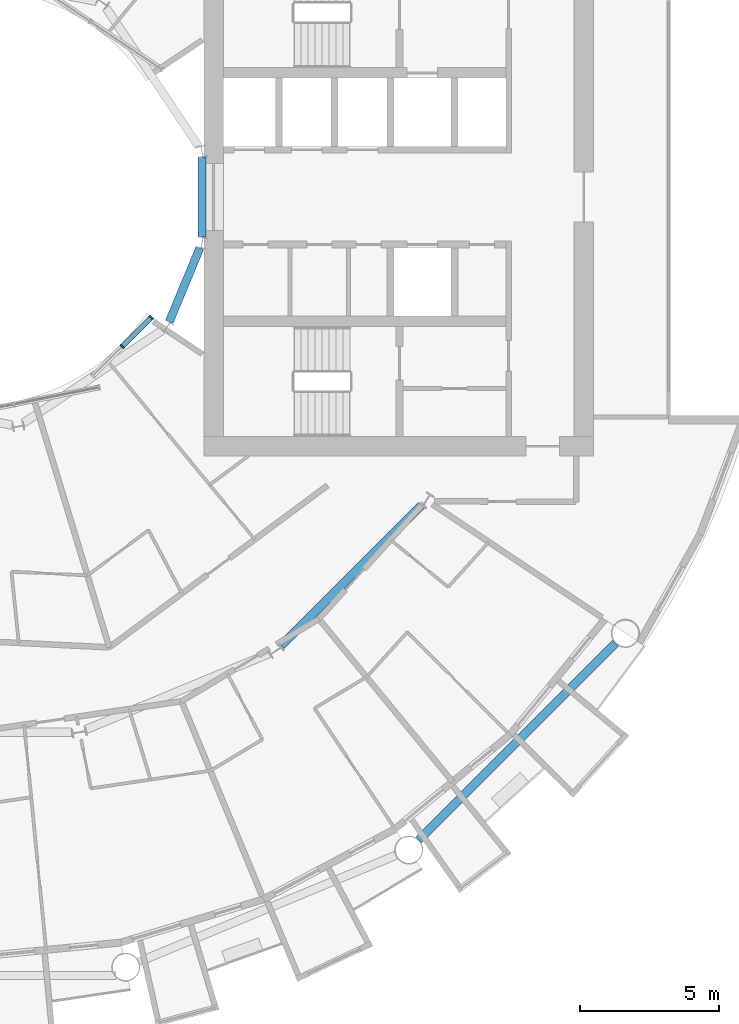
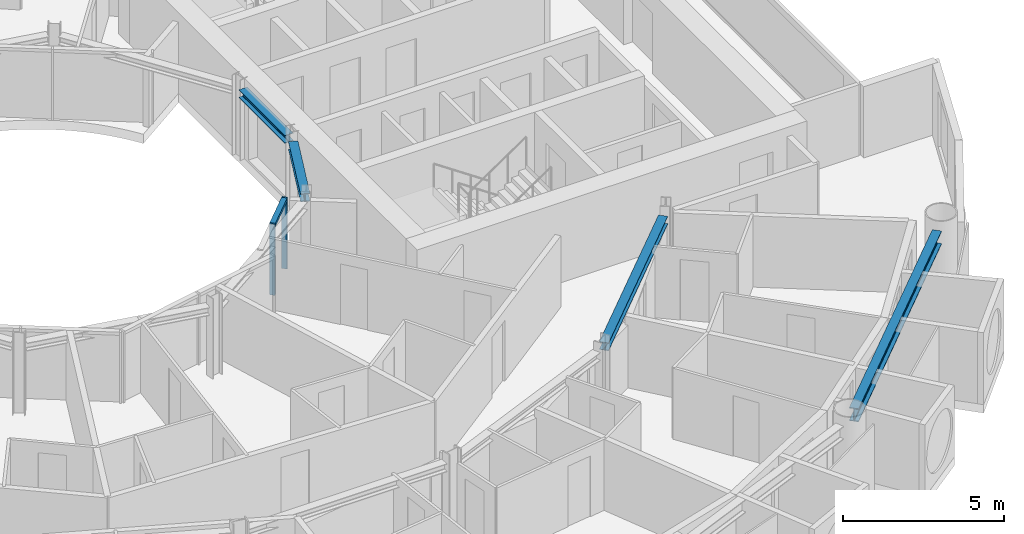
# One storey, part 6 of 26: 4 beams, 3 members, 1 element without a shape of its own.
"""IFC4 building model written with IfcOpenShell, lengths in metres."""

from ifc_helpers import new_model, si_unit, direction, frame, origin, origin_2d, place, context, subcontext, project, spatial, rectangle, i_section, extrude, material, layer, layer_set, material_profile, profile_set, type_object, element, aggregate, save


model = new_model("IFC4")

# Units and contexts
model_context = context("Model", 3, precision=1e-05, world=origin(), true_north=direction((0.0, 1.0)))
body_context = subcontext(model_context, "Body", "Model", "MODEL_VIEW")
ifc_project = project(units=[si_unit("LENGTHUNIT", "METRE"), si_unit("AREAUNIT", "SQUARE_METRE"), si_unit("VOLUMEUNIT", "CUBIC_METRE"), si_unit("PLANEANGLEUNIT", "RADIAN"), si_unit("MASSUNIT", "GRAM", prefix="KILO")], contexts=[model_context])

# Site, building, storey
site_placement = place(None, origin())
site = spatial("IfcSite", under=ifc_project, at=site_placement, CompositionType="ELEMENT")
building_placement = place(site_placement, origin())
building = spatial("IfcBuilding", under=site, at=building_placement, Name="Maasbend Ring Residences", CompositionType="ELEMENT")
storey_placement = place(building_placement, frame((0.0, 0.0, 78.85009765625)))
storey = spatial("IfcBuildingStorey", under=building, at=storey_placement, Name="L22", CompositionType="ELEMENT", Elevation=78.85009765625)

# Curtain wall, members
ifc_material_1 = material(Name="Aluminium and clear glass", Category="aluminium")
ifc_layer = layer(ifc_material_1, 0.179931640625)
ifc_layer_set = layer_set([ifc_layer], Name="CW-W")
curtain_wall_type = type_object("IfcCurtainWallType", Name="CW-W", PredefinedType="NOTDEFINED", material=ifc_layer_set)
curtain_wall_placement = place(storey_placement, origin())
curtain_wall = element("IfcCurtainWall", 1, at=curtain_wall_placement, inside=storey, type_object=curtain_wall_type, Name="Well curtain wall S3", PredefinedType="NOTDEFINED")
ifc_material_2 = material(Name="Aluminium 6063-T6", Category="aluminium")
ifc_material_profile_1 = material_profile(ifc_material_2, rectangle(XDim=0.179931640625, YDim=0.06005859375, at=origin_2d()), Name="AL 180x60")
ifc_profile_set_1 = profile_set([ifc_material_profile_1], Name="Aluminium 6063-T6")
member_type_1 = type_object("IfcMemberType", Name="CWM-W", PredefinedType="MULLION", material=ifc_profile_set_1)
member_1_placement = place(storey_placement, frame((5.366943359375, -5.366943359375, 0.0), z_axis=(0.0, 0.0, 1.0), x_axis=(-0.707106781187, 0.707106781187, 0.0)))
member_1 = element("IfcMember", 2, at=member_1_placement, type_object=member_type_1, Name="Mullion well face", PredefinedType="MULLION", context=body_context, shape_type="SweptSolid", body=[
    extrude(rectangle(XDim=0.179931640625, YDim=0.06005859375, at=origin_2d()), origin(), (0.0, 0.0, 1.0), 2.699951171875),
])
member_2_placement = place(storey_placement, frame((6.413330078125, -4.320556640625, 0.0), z_axis=(0.0, 0.0, 1.0), x_axis=(-0.707106781187, 0.707106781187, 0.0)))
member_2 = element("IfcMember", 3, at=member_2_placement, type_object=member_type_1, Name="Mullion well face", PredefinedType="MULLION", context=body_context, shape_type="SweptSolid", body=[
    extrude(rectangle(XDim=0.179931640625, YDim=0.06005859375, at=origin_2d()), origin(), (0.0, 0.0, 1.0), 2.699951171875),
])
ifc_material_3 = material(Name="Aluminium 6063-T6", Category="aluminium")
ifc_material_profile_2 = material_profile(ifc_material_3, rectangle(XDim=0.179931640625, YDim=0.1201171875, at=origin_2d()), Name="AL 180x120")
ifc_profile_set_2 = profile_set([ifc_material_profile_2], Name="Aluminium 6063-T6")
member_type_2 = type_object("IfcMemberType", Name="CWT-W", PredefinedType="USERDEFINED", material=ifc_profile_set_2)
member_3_placement = place(storey_placement, frame((5.38818359375, -5.345703125, 2.639892578125), z_axis=(0.707106781187, 0.707106781187, 0.0), x_axis=(-0.707106781187, 0.707106781187, 0.0)))
member_3 = element("IfcMember", 4, at=member_3_placement, type_object=member_type_2, Name="Transom well face", ObjectType="TRANSOM", PredefinedType="USERDEFINED", context=body_context, shape_type="SweptSolid", body=[
    extrude(rectangle(XDim=0.179931640625, YDim=0.1201171875, at=origin_2d()), origin(), (0.0, 0.0, 1.0), 1.419677734375),
])
aggregate(curtain_wall, [member_1, member_2, member_3])

# Beams
ifc_material_4 = material(Name="Steel S355J2", Category="steel")
ifc_material_profile_3 = material_profile(ifc_material_4, i_section(OverallWidth=0.300048828125, OverallDepth=0.300048828125, WebThickness=0.010986328125, FlangeThickness=0.01904296875, FilletRadius=0.027099609375, at=origin_2d()), Name="HEB 300")
ifc_profile_set_3 = profile_set([ifc_material_profile_3], Name="Steel S355J2")
beam_type_1 = type_object("IfcBeamType", Name="Corridor ring beam HEB 300", PredefinedType="BEAM", material=ifc_profile_set_3)
beam_1_placement = place(storey_placement, frame((11.078125, -16.10791015625, 2.5498046875), z_axis=(0.707106781187, 0.707106781187, 0.0), x_axis=(-0.707106781187, 0.707106781187, 0.0)))
element("IfcBeam", 5, at=beam_1_placement, inside=storey, type_object=beam_type_1, Name="Corridor ring beam", PredefinedType="BEAM", context=body_context, shape_type="SweptSolid", body=[
    extrude(i_section(OverallWidth=0.300048828125, OverallDepth=0.300048828125, WebThickness=0.010986328125, FlangeThickness=0.01904296875, FilletRadius=0.027099609375, at=origin_2d()), origin(), (0.0, 0.0, 1.0), 7.11328125),
])
ifc_material_5 = material(Name="Steel S355J2", Category="steel")
ifc_material_profile_4 = material_profile(ifc_material_5, i_section(OverallWidth=0.300048828125, OverallDepth=0.5, WebThickness=0.014404296875, FlangeThickness=0.028076171875, FilletRadius=0.027099609375, at=origin_2d()), Name="HEB 500")
ifc_profile_set_4 = profile_set([ifc_material_profile_4], Name="Steel S355J2")
beam_type_2 = type_object("IfcBeamType", Name="Spandrel ring beam HEB 500", PredefinedType="SPANDREL", material=ifc_profile_set_4)
beam_2_placement = place(storey_placement, frame((16.0263671875, -23.088134765625, 2.449951171875), z_axis=(0.707106781187, 0.707106781187, 0.0), x_axis=(-0.707106781187, 0.707106781187, 0.0)))
element("IfcBeam", 6, at=beam_2_placement, inside=storey, type_object=beam_type_2, Name="Spandrel ring beam", PredefinedType="SPANDREL", context=body_context, shape_type="SweptSolid", body=[
    extrude(i_section(OverallWidth=0.300048828125, OverallDepth=0.5, WebThickness=0.014404296875, FlangeThickness=0.028076171875, FilletRadius=0.027099609375, at=origin_2d()), origin(), (0.0, 0.0, 1.0), 9.98681640625),
])
ifc_material_6 = material(Name="Steel S355J2", Category="steel")
ifc_material_profile_5 = material_profile(ifc_material_6, i_section(OverallWidth=0.300048828125, OverallDepth=0.300048828125, WebThickness=0.010986328125, FlangeThickness=0.01904296875, FilletRadius=0.027099609375, at=origin_2d()), Name="HEB 300")
ifc_profile_set_5 = profile_set([ifc_material_profile_5], Name="Steel S355J2")
beam_type_3 = type_object("IfcBeamType", Name="Well edge beam HEB 300", PredefinedType="BEAM", material=ifc_profile_set_5)
beam_3_placement = place(storey_placement, frame((7.062255859375, -4.478515625, 2.5498046875), z_axis=(0.382729955172, 0.923860260761, 0.0), x_axis=(-0.923860260761, 0.382729955172, 0.0)))
element("IfcBeam", 7, at=beam_3_placement, inside=storey, type_object=beam_type_3, Name="Well edge beam", PredefinedType="BEAM", context=body_context, shape_type="SweptSolid", body=[
    extrude(i_section(OverallWidth=0.300048828125, OverallDepth=0.300048828125, WebThickness=0.010986328125, FlangeThickness=0.01904296875, FilletRadius=0.027099609375, at=origin_2d()), origin(), (0.0, 0.0, 1.0), 2.869873046875),
])
beam_4_placement = place(storey_placement, frame((8.238525390625, -1.434814453125, 2.5498046875), z_axis=(0.0, 1.0, 0.0), x_axis=(-1.0, 0.0, 0.0)))
element("IfcBeam", 8, at=beam_4_placement, inside=storey, type_object=beam_type_3, Name="Well edge beam", PredefinedType="BEAM", context=body_context, shape_type="SweptSolid", body=[
    extrude(i_section(OverallWidth=0.300048828125, OverallDepth=0.300048828125, WebThickness=0.010986328125, FlangeThickness=0.01904296875, FilletRadius=0.027099609375, at=origin_2d()), origin(), (0.0, 0.0, 1.0), 2.86962890625),
])

save(model, "model.ifc")
